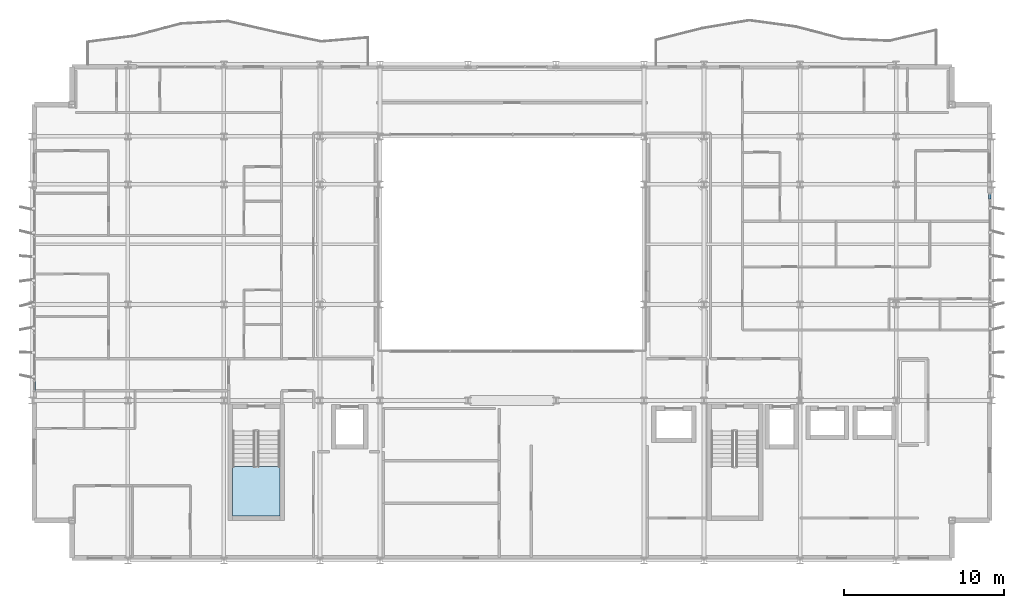
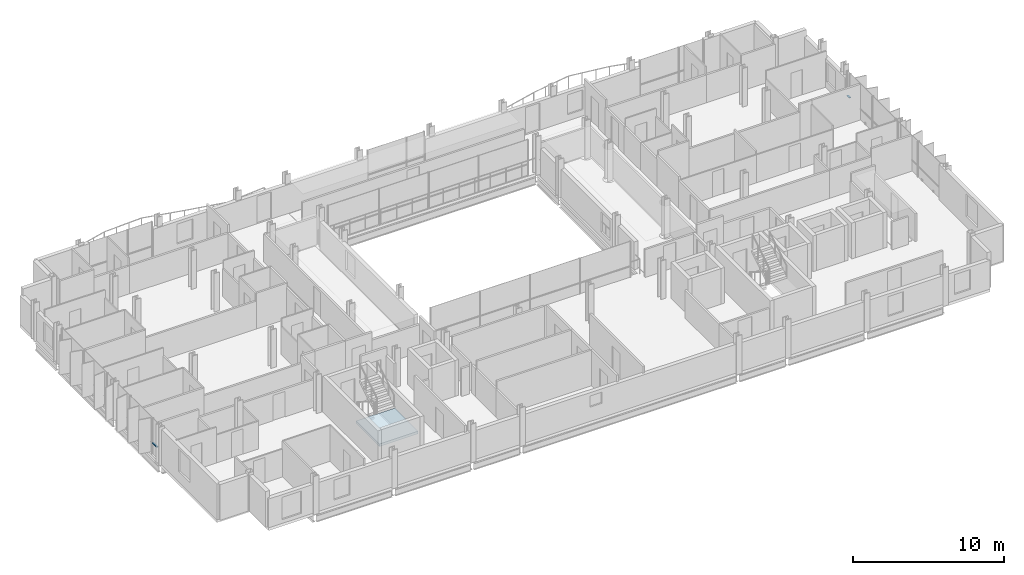
# One storey, part 23 of 38: 2 members, 1 slab, 3 elements without a shape of their own.
"""IFC4 building model written with IfcOpenShell, lengths in metres."""

from ifc_helpers import new_model, si_unit, direction, frame, origin, origin_2d, place, context, subcontext, project, spatial, polyline, hollow_rectangle, outline, extrude, material, layer, layer_set, material_profile, profile_set, type_object, element, aggregate, save


model = new_model("IFC4")

# Units and contexts
model_context = context("Model", 3, precision=1e-05, world=origin(), true_north=direction((0.0, 1.0)))
body_context = subcontext(model_context, "Body", "Model", "MODEL_VIEW")
ifc_project = project(units=[si_unit("LENGTHUNIT", "METRE"), si_unit("AREAUNIT", "SQUARE_METRE"), si_unit("VOLUMEUNIT", "CUBIC_METRE"), si_unit("PLANEANGLEUNIT", "RADIAN"), si_unit("MASSUNIT", "GRAM", prefix="KILO")], contexts=[model_context])

# Site, building, storey
site_placement = place(None, origin())
site = spatial("IfcSite", under=ifc_project, at=site_placement, CompositionType="ELEMENT")
building_placement = place(site_placement, origin())
building = spatial("IfcBuilding", under=site, at=building_placement, Name="Brevholm Reach", CompositionType="ELEMENT")
storey_placement = place(building_placement, frame((0.0, 0.0, 141.800048828125)))
storey = spatial("IfcBuildingStorey", under=building, at=storey_placement, Name="L42", CompositionType="ELEMENT", Elevation=141.800048828125)

# Curtain wall, member
ifc_material_1 = material(Name="Dark Anodised Aluminium 6063-T6 and Solar-Control Glass", Category="aluminium")
ifc_layer_1 = layer(ifc_material_1, 0.14990234375)
ifc_layer_set_1 = layer_set([ifc_layer_1], Name="Dark Anodised Aluminium 6063-T6 and Solar-Control Glass")
curtain_wall_type = type_object("IfcCurtainWallType", Name="CW-01", PredefinedType="NOTDEFINED", material=ifc_layer_set_1)
curtain_wall_1_placement = place(storey_placement, origin())
curtain_wall_1 = element("IfcCurtainWall", 1, at=curtain_wall_1_placement, inside=storey, type_object=curtain_wall_type, Name="L42 Curtain Wall CW-01", PredefinedType="NOTDEFINED")
ifc_material_2 = material(Name="Dark Anodised Aluminium 6063-T6", Category="aluminium")
ifc_material_profile = material_profile(ifc_material_2, hollow_rectangle(XDim=0.06494140625, YDim=0.14990234375, WallThickness=0.0048828125, InnerFilletRadius=0.0048828125, OuterFilletRadius=0.010009765625, at=origin_2d()), Name="RHS 150x65x5")
ifc_profile_set = profile_set([ifc_material_profile], Name="Dark Anodised Aluminium 6063-T6")
member_type = type_object("IfcMemberType", Name="CWT-150", PredefinedType="NOTDEFINED", material=ifc_profile_set)
member_1_placement = place(storey_placement, frame((0.14990234375, 11.1875, 0.89990234375), z_axis=(0.0, -1.0, 0.0), x_axis=(0.0, 0.0, 1.0)))
member_1 = element("IfcMember", 2, at=member_1_placement, type_object=member_type, Name="CT-150 Transom 5.1", ObjectType="TRANSOM", PredefinedType="USERDEFINED", context=body_context, shape_type="SweptSolid", body=[
    extrude(hollow_rectangle(XDim=0.06494140625, YDim=0.14990234375, WallThickness=0.0048828125, InnerFilletRadius=0.0048828125, OuterFilletRadius=0.010009765625, at=origin_2d()), origin(), (0.0, 0.0, 1.0), 0.572509765625),
])
aggregate(curtain_wall_1, [member_1])

curtain_wall_2_placement = place(storey_placement, origin())
curtain_wall_2 = element("IfcCurtainWall", 3, at=curtain_wall_2_placement, inside=storey, type_object=curtain_wall_type, Name="L42 Curtain Wall CW-01", PredefinedType="NOTDEFINED")
member_2_placement = place(storey_placement, frame((59.85009765625, 22.58251953125, 0.89990234375), z_axis=(0.0, 1.0, 0.0), x_axis=(0.0, 0.0, 1.0)))
member_2 = element("IfcMember", 4, at=member_2_placement, type_object=member_type, Name="CT-150 Transom 5.1", ObjectType="TRANSOM", PredefinedType="USERDEFINED", context=body_context, shape_type="SweptSolid", body=[
    extrude(hollow_rectangle(XDim=0.06494140625, YDim=0.14990234375, WallThickness=0.0048828125, InnerFilletRadius=0.0048828125, OuterFilletRadius=0.010009765625, at=origin_2d()), origin(), (0.0, 0.0, 1.0), 0.302490234375),
])
aggregate(curtain_wall_2, [member_2])

# Stair, slab
ifc_material_3 = material(Name="Precast Concrete C40/50", Category="concrete")
stair_type = type_object("IfcStairType", Name="STR-ESC-1400", PredefinedType="DOUBLE_RETURN_STAIR", material=ifc_material_3)
stair_placement = place(storey_placement, origin())
stair = element("IfcStair", 5, at=stair_placement, inside=storey, type_object=stair_type, Name="L42 ST-1", PredefinedType="DOUBLE_RETURN_STAIR")
ifc_material_4 = material(Name="Concrete C40/50", Category="concrete")
ifc_layer_2 = layer(ifc_material_4, 0.199951171875)
ifc_layer_set_2 = layer_set([ifc_layer_2], Name="Concrete C40/50")
slab_type = type_object("IfcSlabType", Name="SLB-LND-200", PredefinedType="LANDING", material=ifc_layer_set_2)
slab_placement = place(storey_placement, frame((0.0, 0.0, 1.349853515625)))
slab = element("IfcSlab", 6, at=slab_placement, type_object=slab_type, Name="ST-1 landing 1", PredefinedType="LANDING", context=body_context, shape_type="SweptSolid", body=[
    extrude(outline(polyline([(12.550048828125, 5.860107421875), (12.550048828125, 2.780029296875), (15.5, 2.780029296875), (15.5, 5.860107421875), (12.550048828125, 5.860107421875)])), origin(), (0.0, 0.0, 1.0), 0.2001953125),
])
aggregate(stair, [slab])

save(model, "model.ifc")
